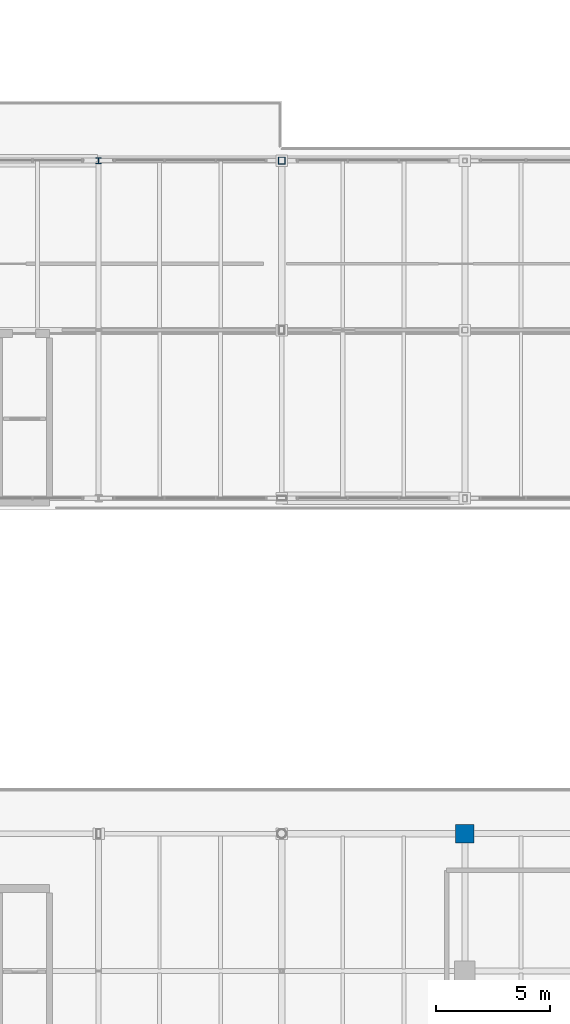
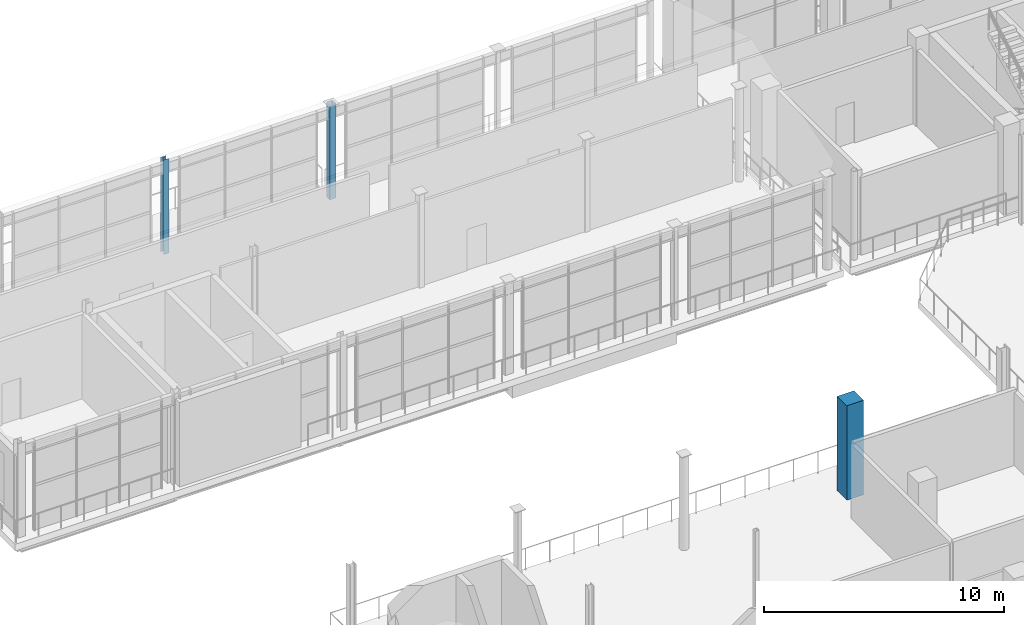
# One storey, part 19 of 93: 3 columns.
"""IFC4 building model written with IfcOpenShell, lengths in metres."""

from ifc_helpers import new_model, si_unit, direction, frame, origin, origin_2d, place, context, subcontext, project, spatial, rectangle, hollow_rectangle, i_section, extrude, material, material_profile, profile_set, type_object, element, save


model = new_model("IFC4")

# Units and contexts
model_context = context("Model", 3, precision=1e-05, world=origin(), true_north=direction((0.0, 1.0)))
body_context = subcontext(model_context, "Body", "Model", "MODEL_VIEW")
ifc_project = project(units=[si_unit("LENGTHUNIT", "METRE"), si_unit("AREAUNIT", "SQUARE_METRE"), si_unit("VOLUMEUNIT", "CUBIC_METRE"), si_unit("PLANEANGLEUNIT", "RADIAN"), si_unit("MASSUNIT", "GRAM", prefix="KILO")], contexts=[model_context])

# Site, building, storey
site_placement = place(None, origin())
site = spatial("IfcSite", under=ifc_project, at=site_placement, CompositionType="ELEMENT")
building_placement = place(site_placement, origin())
building = spatial("IfcBuilding", under=site, at=building_placement, Name="Brisemont Oceanarium", CompositionType="ELEMENT")
storey_placement = place(building_placement, frame((0.0, 0.0, 5.39990234375)))
storey = spatial("IfcBuildingStorey", under=building, at=storey_placement, Name="L01", CompositionType="ELEMENT", Elevation=5.39990234375)

# Columns
ifc_material_1 = material(Name="Structural Steel ASTM A500 Gr.C", Category="steel")
ifc_material_profile_1 = material_profile(ifc_material_1, hollow_rectangle(XDim=0.304931640625, YDim=0.304931640625, WallThickness=0.01171875, InnerFilletRadius=0.01220703125, OuterFilletRadius=0.02392578125, at=origin_2d()), Name="HSS12X12X1/2")
ifc_profile_set_1 = profile_set([ifc_material_profile_1], Name="Structural Steel ASTM A500 Gr.C")
column_type_1 = type_object("IfcColumnType", Name="COL-HSS12X12", PredefinedType="COLUMN", material=ifc_profile_set_1)
column_1_placement = place(storey_placement, frame((40.0, 95.39990234375, 0.0), z_axis=(0.0, 0.0, 1.0), x_axis=(0.0, 1.0, 0.0)))
element("IfcColumn", 1, at=column_1_placement, inside=storey, type_object=column_type_1, Name="V7W L01 column (3,2)", PredefinedType="COLUMN", context=body_context, shape_type="SweptSolid", body=[
    extrude(hollow_rectangle(XDim=0.304931640625, YDim=0.304931640625, WallThickness=0.01171875, InnerFilletRadius=0.01220703125, OuterFilletRadius=0.02392578125, at=origin_2d()), origin(), (0.0, 0.0, 1.0), 4.800048828125),
])
ifc_material_2 = material(Name="Concrete C40/50", Category="concrete")
ifc_material_profile_2 = material_profile(ifc_material_2, rectangle(XDim=0.800048828125, YDim=0.800048828125, at=origin_2d()), Name="RC-COL-800X800")
ifc_profile_set_2 = profile_set([ifc_material_profile_2], Name="Concrete C40/50")
column_type_2 = type_object("IfcColumnType", Name="COL-RC800", PredefinedType="COLUMN", material=ifc_profile_set_2)
column_2_placement = place(storey_placement, frame((48.0, 66.0, 0.0), z_axis=(0.0, 0.0, 1.0), x_axis=(1.0, 0.0, 0.0)))
element("IfcColumn", 2, at=column_2_placement, inside=storey, type_object=column_type_2, Name="V5W L01 column (4,4)", PredefinedType="COLUMN", context=body_context, shape_type="SweptSolid", body=[
    extrude(rectangle(XDim=0.800048828125, YDim=0.800048828125, at=origin_2d()), origin(), (0.0, 0.0, 1.0), 4.800048828125),
])
ifc_material_3 = material(Name="Structural Steel ASTM A992 Gr.50", Category="steel")
ifc_material_profile_3 = material_profile(ifc_material_3, i_section(OverallWidth=0.25390625, OverallDepth=0.25390625, WebThickness=0.008544921875, FlangeThickness=0.01416015625, FilletRadius=0.010986328125, at=origin_2d()), Name="W10X49")
ifc_profile_set_3 = profile_set([ifc_material_profile_3], Name="Structural Steel ASTM A992 Gr.50")
column_type_3 = type_object("IfcColumnType", Name="COL-W10X49", PredefinedType="COLUMN", material=ifc_profile_set_3)
column_3_placement = place(storey_placement, frame((32.0, 95.39990234375, 0.0), z_axis=(0.0, 0.0, 1.0), x_axis=(1.0, 0.0, 0.0)))
element("IfcColumn", 3, at=column_3_placement, inside=storey, type_object=column_type_3, Name="V7W L01 column (2,2)", PredefinedType="COLUMN", context=body_context, shape_type="SweptSolid", body=[
    extrude(i_section(OverallWidth=0.25390625, OverallDepth=0.25390625, WebThickness=0.008544921875, FlangeThickness=0.01416015625, FilletRadius=0.010986328125, at=origin_2d()), origin(), (0.0, 0.0, 1.0), 4.800048828125),
])

save(model, "model.ifc")
